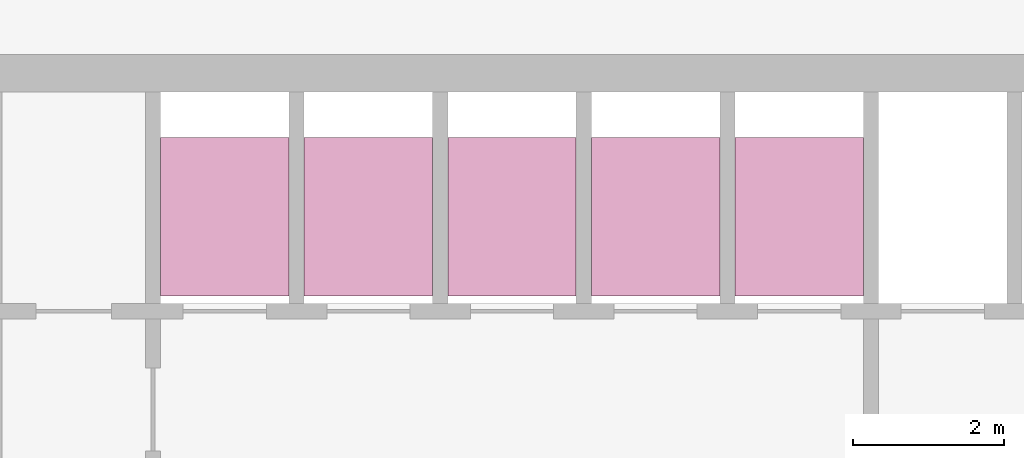
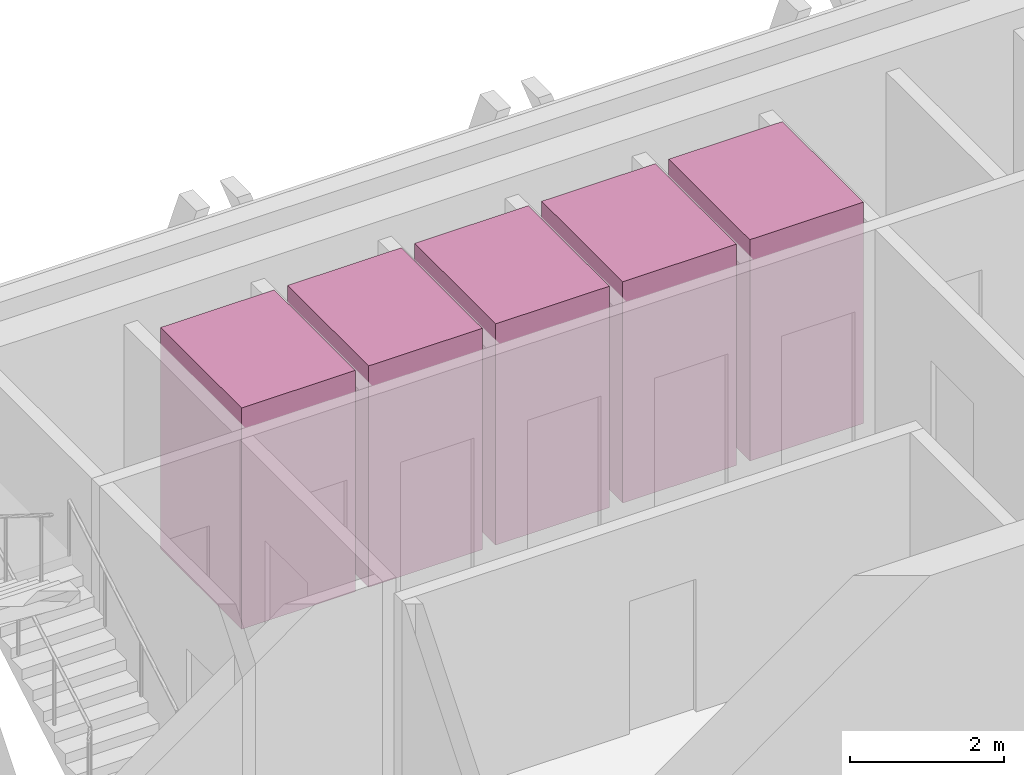
# One storey, part 12 of 12: 5 transport elements.
"""IFC4 building model written with IfcOpenShell, lengths in metres."""

import ifcopenshell
import ifcopenshell.guid

model = None  # the IFC model being written
_history = None  # IfcOwnerHistory: only IFC2X3 demands one
_inside = {}  # id of a spatial element -> (the spatial element, [elements in it])
_under = {}  # id of a project, library or spatial element -> (it, [spatial elements below it])
_declared = {}  # id of a project -> (the project, [libraries it declares])
_typed = {}  # id of a type object -> (the type object, [elements of that type])
_made_of = {}  # id of a material, layer set ... -> (it, [elements and type objects made of it])


def new_model(schema):
    """Start an empty IFC model of exactly this schema.

    Asked for "IFC4X3", IfcOpenShell would pick the latest addendum, in which some entities
    have other attributes; the version numbers below select the first issue.
    IFC2X3 requires an IfcOwnerHistory on every rooted entity: one is made here for all.
    """
    global model, _history
    if schema == "IFC4X3":
        model = ifcopenshell.file(schema_version=(4, 3, 0, 0))
    else:
        model = ifcopenshell.file(schema=schema)
    _inside.clear()
    _under.clear()
    _declared.clear()
    _typed.clear()
    _made_of.clear()
    _history = None
    if model.schema == "IFC2X3":
        org = make("IfcOrganization", Name="unknown")
        user = make(
            "IfcPersonAndOrganization",
            ThePerson=make("IfcPerson", FamilyName="unknown"),
            TheOrganization=org,
        )
        app = make(
            "IfcApplication",
            ApplicationDeveloper=org,
            Version="unknown",
            ApplicationFullName="unknown",
            ApplicationIdentifier="unknown",
        )
        _history = make(
            "IfcOwnerHistory",
            OwningUser=user,
            OwningApplication=app,
            ChangeAction="ADDED",
            CreationDate=0,
        )
    return model


def make(cls, **values):
    """One entity of the class cls with the attributes given. An attribute that is None is left unset."""
    return model.create_entity(
        cls, **{name: value for name, value in values.items() if value is not None}
    )


def rooted(cls, **values):
    """An entity with a GlobalId (a new one), such as an element, a storey or a relation."""
    return make(cls, GlobalId=ifcopenshell.guid.new(), OwnerHistory=_history, **values)


def si_unit(unit_type, name, prefix=None):
    """IfcSIUnit, for example si_unit("LENGTHUNIT", "METRE", prefix="MILLI")."""
    return make("IfcSIUnit", UnitType=unit_type, Prefix=prefix, Name=name)


def assignment(units):
    """IfcUnitAssignment: the units of a project."""
    return None if units is None else make("IfcUnitAssignment", Units=units)


def point(xyz):
    """IfcCartesianPoint."""
    return None if xyz is None else make("IfcCartesianPoint", Coordinates=xyz)


def direction(xyz):
    """IfcDirection."""
    return None if xyz is None else make("IfcDirection", DirectionRatios=xyz)


def frame(location, z_axis=None, x_axis=None):
    """IfcAxis2Placement3D, a coordinate frame: its origin and axes. An axis left out is left unset."""
    return make(
        "IfcAxis2Placement3D",
        Location=point(location),
        Axis=direction(z_axis),
        RefDirection=direction(x_axis),
    )


def frame_2d(location, x_axis=None):
    """IfcAxis2Placement2D, a coordinate frame in the plane: its origin and x axis."""
    return make(
        "IfcAxis2Placement2D", Location=point(location), RefDirection=direction(x_axis)
    )


def origin():
    """The frame at (0, 0, 0) with its axes left unset."""
    return frame((0.0, 0.0, 0.0))


def origin_2d():
    """The frame at (0, 0) in the plane with its x axis left unset."""
    return frame_2d((0.0, 0.0))


def place(relative_to, where):
    """IfcLocalPlacement: puts the frame where relative to a parent placement (None: the world)."""
    return make(
        "IfcLocalPlacement", PlacementRelTo=relative_to, RelativePlacement=where
    )


def context(
    kind, dimensions, precision=None, world=None, true_north=None, identifier=None
):
    """IfcGeometricRepresentationContext, for example the 3D "Model" context."""
    return make(
        "IfcGeometricRepresentationContext",
        ContextIdentifier=identifier,
        ContextType=kind,
        CoordinateSpaceDimension=dimensions,
        Precision=precision,
        WorldCoordinateSystem=world,
        TrueNorth=true_north,
    )


def subcontext(parent, identifier, kind, view, scale=None):
    """IfcGeometricRepresentationSubContext, for example "Body" below "Model"."""
    return make(
        "IfcGeometricRepresentationSubContext",
        ContextIdentifier=identifier,
        ContextType=kind,
        ParentContext=parent,
        TargetScale=scale,
        TargetView=view,
    )


def project(units=None, contexts=None):
    """IfcProject with its units and contexts."""
    return rooted(
        "IfcProject",
        Name="project",
        RepresentationContexts=contexts,
        UnitsInContext=assignment(units),
    )


def spatial(cls, under=None, at=None, **own):
    """A site, building, storey or space (cls), placed at a placement, below another one or the project."""
    s = rooted(cls, ObjectPlacement=at, **own)
    if under is not None:
        _under.setdefault(under.id(), (under, []))[1].append(s)
    return s


def profile(cls, at=None, kind="AREA", **sizes):
    """A parametric profile (cls). Its sizes go by their IFC names, for example OverallWidth=200.0."""
    return make(cls, ProfileType=kind, Position=at, **sizes)


def rectangle(**sizes):
    """IfcRectangleProfileDef."""
    return profile("IfcRectangleProfileDef", **sizes)


def extrude(swept, where, along, depth):
    """IfcExtrudedAreaSolid: the profile swept, set in the frame where, extruded along a direction by depth."""
    return make(
        "IfcExtrudedAreaSolid",
        SweptArea=swept,
        Position=where,
        ExtrudedDirection=direction(along),
        Depth=depth,
    )


def shape(context_of_items, identifier, shape_type, items):
    """IfcShapeRepresentation: the items that make up one representation, for example the "Body"."""
    return make(
        "IfcShapeRepresentation",
        ContextOfItems=context_of_items,
        RepresentationIdentifier=identifier,
        RepresentationType=shape_type,
        Items=items,
    )


def material(Name=None, Category=None):
    """IfcMaterial."""
    return make("IfcMaterial", Name=Name, Category=Category)


def made_of(thing, what):
    """Note that an element or type object is made of a material, layer set ...; save() writes the relation."""
    if what is not None:
        _made_of.setdefault(what.id(), (what, []))[1].append(thing)
    return thing


def type_object(cls, material=None, **own):
    """A type object (cls), such as IfcWallType, which elements share."""
    return made_of(rooted(cls, **own), material)


def element(
    cls,
    number,
    at=None,
    inside=None,
    cuts=None,
    type_object=None,
    material=None,
    context=None,
    identifier="Body",
    shape_type=None,
    held_by="IfcProductDefinitionShape",
    body=None,
    shapes=None,
    **own,
):
    """One element of the class cls, such as IfcWall. Its Tag is "e" and its number.

    at: its placement. inside: the storey or other place that contains it. cuts: it is an
    opening in that element (IfcRelVoidsElement). A single representation is given by context,
    identifier, shape_type and body (its items); several are given by shapes. held_by: the class
    of the entity that holds the representations. save() writes the other relations.
    """
    e = rooted(cls, Tag="e%d" % number, ObjectPlacement=at, **own)
    if body is not None:
        shapes = [shape(context, identifier, shape_type, body)]
    if shapes is not None:
        e.Representation = make(held_by, Representations=shapes)
    if inside is not None:
        _inside.setdefault(inside.id(), (inside, []))[1].append(e)
    if cuts is not None:
        rooted(
            "IfcRelVoidsElement", RelatingBuildingElement=cuts, RelatedOpeningElement=e
        )
    if type_object is not None:
        _typed.setdefault(type_object.id(), (type_object, []))[1].append(e)
    return made_of(e, material)


def aggregate(whole, parts):
    """IfcRelAggregates: a whole, such as a stair, and the parts it consists of."""
    return rooted("IfcRelAggregates", RelatingObject=whole, RelatedObjects=parts)


def save(model, path):
    """Write the relations noted so far, then the file.

    IfcRelAggregates (storeys below a building ...), IfcRelContainedInSpatialStructure (elements
    in a storey), IfcRelDefinesByType, IfcRelAssociatesMaterial and IfcRelDeclares: one each for
    every whole, place, type object, material and project.
    """
    for whole, parts in _under.values():
        aggregate(whole, parts)
    for where, things in _inside.values():
        rooted(
            "IfcRelContainedInSpatialStructure",
            RelatedElements=things,
            RelatingStructure=where,
        )
    for kind, things in _typed.values():
        rooted("IfcRelDefinesByType", RelatedObjects=things, RelatingType=kind)
    for what, things in _made_of.values():
        rooted("IfcRelAssociatesMaterial", RelatedObjects=things, RelatingMaterial=what)
    for by, libraries in _declared.values():
        rooted("IfcRelDeclares", RelatingContext=by, RelatedDefinitions=libraries)
    model.write(path)


model = new_model("IFC4")

# Units and contexts
model_context = context("Model", 3, precision=1e-05, world=origin(), true_north=direction((0.0, 1.0)))
body_context = subcontext(model_context, "Body", "Model", "MODEL_VIEW")
ifc_project = project(units=[si_unit("LENGTHUNIT", "METRE"), si_unit("AREAUNIT", "SQUARE_METRE"), si_unit("VOLUMEUNIT", "CUBIC_METRE"), si_unit("PLANEANGLEUNIT", "RADIAN"), si_unit("MASSUNIT", "GRAM", prefix="KILO")], contexts=[model_context])

# Site, building, storey
site_placement = place(None, origin())
site = spatial("IfcSite", under=ifc_project, at=site_placement, CompositionType="ELEMENT")
building_placement = place(site_placement, origin())
building = spatial("IfcBuilding", under=site, at=building_placement, Name="Altiplano Prism Tower", CompositionType="ELEMENT")
storey_placement = place(building_placement, frame((0.0, 0.0, 282.39990234375)))
storey = spatial("IfcBuildingStorey", under=building, at=storey_placement, Name="L73", CompositionType="ELEMENT", Elevation=282.39990234375)

# Transport elements
ifc_material = material(Name="Stainless steel lift car", Category="steel")
transport_element_type = type_object("IfcTransportElementType", Name="Passenger lift car 1600 x 2100", PredefinedType="ELEVATOR", material=ifc_material)
for number, where, z_axis, x_axis, name in (
    (1, (79.050048828125, 101.75, 0.050048828125), (0.0, 0.0, 1.0), (1.0, 0.0, 0.0), "High Zone Passenger Lift 1"),
    (2, (80.949951171875, 101.75, 0.050048828125), (0.0, 0.0, 1.0), (1.0, 0.0, 0.0), "High Zone Passenger Lift 2"),
    (3, (82.85009765625, 101.75, 0.050048828125), (0.0, 0.0, 1.0), (1.0, 0.0, 0.0), "High Zone Passenger Lift 3"),
    (4, (84.75, 101.75, 0.050048828125), (0.0, 0.0, 1.0), (1.0, 0.0, 0.0), "High Zone Passenger Lift 4"),
    (5, (86.64990234375, 101.75, 0.050048828125), (0.0, 0.0, 1.0), (1.0, 0.0, 0.0), "High Zone Passenger Lift 5"),
):
    element("IfcTransportElement", number, at=place(storey_placement, frame(where, z_axis=z_axis, x_axis=x_axis)), inside=storey, type_object=transport_element_type, Name=name, PredefinedType="ELEVATOR", context=body_context, shape_type="SweptSolid", body=[
        extrude(rectangle(XDim=1.699951171875, YDim=2.10009765625, at=origin_2d()), origin(), (0.0, 0.0, 1.0), 3.5),
    ])

save(model, "model.ifc")
